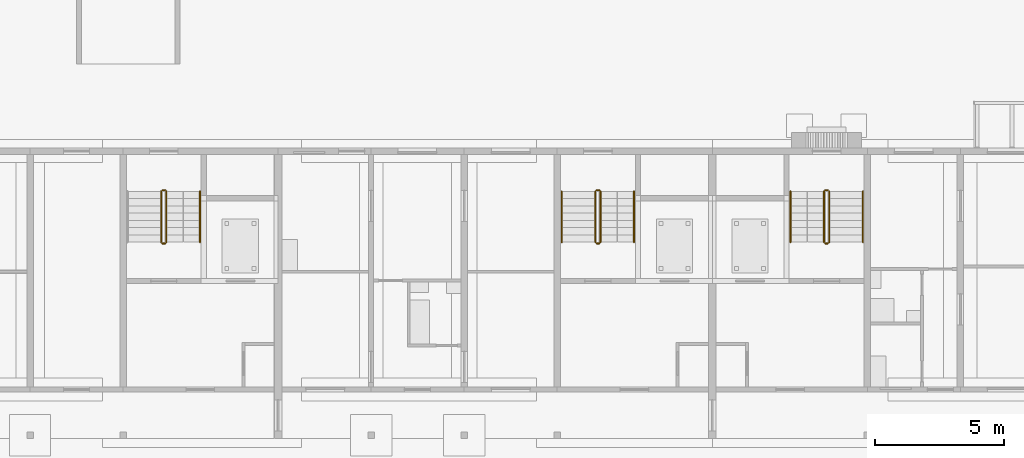
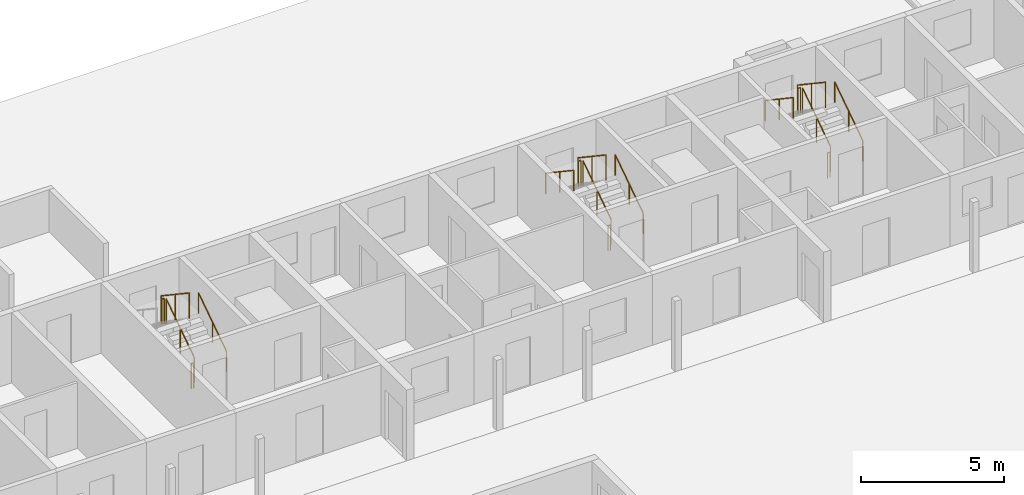
# One storey, part 105 of 112: 17 railings.
"""IFC4 building model written with IfcOpenShell, lengths in metres."""

from ifc_helpers import new_model, si_unit, direction, frame, origin, origin_2d, place, context, subcontext, project, spatial, circle, extrude, material, type_object, element, save


model = new_model("IFC4")

# Units and contexts
model_context = context("Model", 3, precision=1e-05, world=origin(), true_north=direction((0.0, 1.0)))
body_context = subcontext(model_context, "Body", "Model", "MODEL_VIEW")
ifc_project = project(units=[si_unit("LENGTHUNIT", "METRE"), si_unit("AREAUNIT", "SQUARE_METRE"), si_unit("VOLUMEUNIT", "CUBIC_METRE"), si_unit("PLANEANGLEUNIT", "RADIAN"), si_unit("MASSUNIT", "GRAM", prefix="KILO")], contexts=[model_context])

# Site, building, storey
site_placement = place(None, origin())
site = spatial("IfcSite", under=ifc_project, at=site_placement, CompositionType="ELEMENT")
building_placement = place(site_placement, origin())
building = spatial("IfcBuilding", under=site, at=building_placement, Name="Ridgestep Commons", CompositionType="ELEMENT")
storey_placement = place(building_placement, origin())
storey = spatial("IfcBuildingStorey", under=building, at=storey_placement, Name="L00", CompositionType="ELEMENT", Elevation=0.0)

# Railings
ifc_material_1 = material(Name="Structural steel S355JR", Category="steel")
railing_type_1 = type_object("IfcRailingType", Name="Stair guard 1100", PredefinedType="GUARDRAIL", material=ifc_material_1)
railing_1_placement = place(storey_placement, frame((159.27490234375, 73.60009765625, 0.1875)))
element("IfcRailing", 1, at=railing_1_placement, inside=storey, type_object=railing_type_1, Name="L00 C1C stair guard 1", PredefinedType="GUARDRAIL", context=body_context, shape_type="SweptSolid", body=[
    extrude(circle(Radius=0.02392578125, at=origin_2d()), frame((0.0, 0.0, 1.076171875), z_axis=(0.0, 0.830902050051, 0.556418712142), x_axis=(-1.0, 0.0, 0.0)), (0.0, 0.0, 1.0), 2.35888671875),
    extrude(circle(Radius=0.02099609375, at=origin_2d()), origin(), (0.0, 0.0, 1.0), 1.052001953125),
    extrude(circle(Radius=0.02099609375, at=origin_2d()), frame((0.0, 0.97998046875, 0.65625)), (0.0, 0.0, 1.0), 1.052001953125),
    extrude(circle(Radius=0.02099609375, at=origin_2d()), frame((0.0, 1.9599609375, 1.3125)), (0.0, 0.0, 1.0), 1.052001953125),
])
railing_2_placement = place(storey_placement, frame((159.22509765625, 75.610107421875, 1.5)))
element("IfcRailing", 2, at=railing_2_placement, inside=storey, type_object=railing_type_1, Name="L00 C1C stair guard 2", PredefinedType="GUARDRAIL", context=body_context, shape_type="SweptSolid", body=[
    extrude(circle(Radius=0.02392578125, at=origin_2d()), frame((0.0, 0.0, 1.076171875), z_axis=(-1.0, 0.0, 0.0), x_axis=(0.0, -1.0, 0.0)), (0.0, 0.0, 1.0), 0.10009765625),
    extrude(circle(Radius=0.02099609375, at=origin_2d()), origin(), (0.0, 0.0, 1.0), 1.052001953125),
    extrude(circle(Radius=0.02099609375, at=origin_2d()), frame((-0.10009765625, 0.0, 0.0)), (0.0, 0.0, 1.0), 1.052001953125),
])
railing_3_placement = place(storey_placement, frame((159.074951171875, 75.56005859375, 1.6875)))
element("IfcRailing", 3, at=railing_3_placement, inside=storey, type_object=railing_type_1, Name="L00 C1C stair guard 3", PredefinedType="GUARDRAIL", context=body_context, shape_type="SweptSolid", body=[
    extrude(circle(Radius=0.02392578125, at=origin_2d()), frame((0.0, 0.0, 1.076171875), z_axis=(0.0, -0.830902050051, 0.556418712142), x_axis=(1.0, 0.0, 0.0)), (0.0, 0.0, 1.0), 2.35888671875),
    extrude(circle(Radius=0.02099609375, at=origin_2d()), origin(), (0.0, 0.0, 1.0), 1.052001953125),
    extrude(circle(Radius=0.02099609375, at=origin_2d()), frame((0.0, -0.97998046875, 0.65625)), (0.0, 0.0, 1.0), 1.052001953125),
    extrude(circle(Radius=0.02099609375, at=origin_2d()), frame((0.0, -1.9599609375, 1.3125)), (0.0, 0.0, 1.0), 1.052001953125),
])
railing_4_placement = place(storey_placement, frame((159.22509765625, 73.550048828125, 0.0)))
element("IfcRailing", 4, at=railing_4_placement, inside=storey, type_object=railing_type_1, Name="L00 C1C stair guard 4", PredefinedType="GUARDRAIL", context=body_context, shape_type="SweptSolid", body=[
    extrude(circle(Radius=0.02392578125, at=origin_2d()), frame((0.0, 0.0, 1.076171875), z_axis=(-1.0, 0.0, 0.0), x_axis=(0.0, -1.0, 0.0)), (0.0, 0.0, 1.0), 0.10009765625),
    extrude(circle(Radius=0.02099609375, at=origin_2d()), origin(), (0.0, 0.0, 1.0), 1.052001953125),
    extrude(circle(Radius=0.02099609375, at=origin_2d()), frame((-0.10009765625, 0.0, 0.0)), (0.0, 0.0, 1.0), 1.052001953125),
])
railing_5_placement = place(storey_placement, frame((176.074951171875, 73.60009765625, 0.1875)))
element("IfcRailing", 5, at=railing_5_placement, inside=storey, type_object=railing_type_1, Name="L00 C2C stair guard 1", PredefinedType="GUARDRAIL", context=body_context, shape_type="SweptSolid", body=[
    extrude(circle(Radius=0.02392578125, at=origin_2d()), frame((0.0, 0.0, 1.076171875), z_axis=(0.0, 0.830902050051, 0.556418712142), x_axis=(-1.0, 0.0, 0.0)), (0.0, 0.0, 1.0), 2.35888671875),
    extrude(circle(Radius=0.02099609375, at=origin_2d()), origin(), (0.0, 0.0, 1.0), 1.052001953125),
    extrude(circle(Radius=0.02099609375, at=origin_2d()), frame((0.0, 0.97998046875, 0.65625)), (0.0, 0.0, 1.0), 1.052001953125),
    extrude(circle(Radius=0.02099609375, at=origin_2d()), frame((0.0, 1.9599609375, 1.3125)), (0.0, 0.0, 1.0), 1.052001953125),
])
railing_6_placement = place(storey_placement, frame((176.02490234375, 75.610107421875, 1.5)))
element("IfcRailing", 6, at=railing_6_placement, inside=storey, type_object=railing_type_1, Name="L00 C2C stair guard 2", PredefinedType="GUARDRAIL", context=body_context, shape_type="SweptSolid", body=[
    extrude(circle(Radius=0.02392578125, at=origin_2d()), frame((0.0, 0.0, 1.076171875), z_axis=(-1.0, 0.0, 0.0), x_axis=(0.0, -1.0, 0.0)), (0.0, 0.0, 1.0), 0.099853515625),
    extrude(circle(Radius=0.02099609375, at=origin_2d()), origin(), (0.0, 0.0, 1.0), 1.052001953125),
    extrude(circle(Radius=0.02099609375, at=origin_2d()), frame((-0.099853515625, 0.0, 0.0)), (0.0, 0.0, 1.0), 1.052001953125),
])
railing_7_placement = place(storey_placement, frame((175.875, 75.56005859375, 1.6875)))
element("IfcRailing", 7, at=railing_7_placement, inside=storey, type_object=railing_type_1, Name="L00 C2C stair guard 3", PredefinedType="GUARDRAIL", context=body_context, shape_type="SweptSolid", body=[
    extrude(circle(Radius=0.02392578125, at=origin_2d()), frame((0.0, 0.0, 1.076171875), z_axis=(0.0, -0.830902050051, 0.556418712142), x_axis=(1.0, 0.0, 0.0)), (0.0, 0.0, 1.0), 2.35888671875),
    extrude(circle(Radius=0.02099609375, at=origin_2d()), origin(), (0.0, 0.0, 1.0), 1.052001953125),
    extrude(circle(Radius=0.02099609375, at=origin_2d()), frame((0.0, -0.97998046875, 0.65625)), (0.0, 0.0, 1.0), 1.052001953125),
    extrude(circle(Radius=0.02099609375, at=origin_2d()), frame((0.0, -1.9599609375, 1.3125)), (0.0, 0.0, 1.0), 1.052001953125),
])
railing_8_placement = place(storey_placement, frame((176.02490234375, 73.550048828125, 0.0)))
element("IfcRailing", 8, at=railing_8_placement, inside=storey, type_object=railing_type_1, Name="L00 C2C stair guard 4", PredefinedType="GUARDRAIL", context=body_context, shape_type="SweptSolid", body=[
    extrude(circle(Radius=0.02392578125, at=origin_2d()), frame((0.0, 0.0, 1.076171875), z_axis=(-1.0, 0.0, 0.0), x_axis=(0.0, -1.0, 0.0)), (0.0, 0.0, 1.0), 0.099853515625),
    extrude(circle(Radius=0.02099609375, at=origin_2d()), origin(), (0.0, 0.0, 1.0), 1.052001953125),
    extrude(circle(Radius=0.02099609375, at=origin_2d()), frame((-0.099853515625, 0.0, 0.0)), (0.0, 0.0, 1.0), 1.052001953125),
])
railing_9_placement = place(storey_placement, frame((184.925048828125, 73.60009765625, 0.1875)))
element("IfcRailing", 9, at=railing_9_placement, inside=storey, type_object=railing_type_1, Name="L00 C3C stair guard 1", PredefinedType="GUARDRAIL", context=body_context, shape_type="SweptSolid", body=[
    extrude(circle(Radius=0.02392578125, at=origin_2d()), frame((0.0, 0.0, 1.076171875), z_axis=(0.0, 0.830902050051, 0.556418712142), x_axis=(-1.0, 0.0, 0.0)), (0.0, 0.0, 1.0), 2.35888671875),
    extrude(circle(Radius=0.02099609375, at=origin_2d()), origin(), (0.0, 0.0, 1.0), 1.052001953125),
    extrude(circle(Radius=0.02099609375, at=origin_2d()), frame((0.0, 0.97998046875, 0.65625)), (0.0, 0.0, 1.0), 1.052001953125),
    extrude(circle(Radius=0.02099609375, at=origin_2d()), frame((0.0, 1.9599609375, 1.3125)), (0.0, 0.0, 1.0), 1.052001953125),
])
railing_10_placement = place(storey_placement, frame((184.875, 75.610107421875, 1.5)))
element("IfcRailing", 10, at=railing_10_placement, inside=storey, type_object=railing_type_1, Name="L00 C3C stair guard 2", PredefinedType="GUARDRAIL", context=body_context, shape_type="SweptSolid", body=[
    extrude(circle(Radius=0.02392578125, at=origin_2d()), frame((0.0, 0.0, 1.076171875), z_axis=(-1.0, 0.0, 0.0), x_axis=(0.0, -1.0, 0.0)), (0.0, 0.0, 1.0), 0.10009765625),
    extrude(circle(Radius=0.02099609375, at=origin_2d()), origin(), (0.0, 0.0, 1.0), 1.052001953125),
    extrude(circle(Radius=0.02099609375, at=origin_2d()), frame((-0.10009765625, 0.0, 0.0)), (0.0, 0.0, 1.0), 1.052001953125),
])
railing_11_placement = place(storey_placement, frame((184.72509765625, 75.56005859375, 1.6875)))
element("IfcRailing", 11, at=railing_11_placement, inside=storey, type_object=railing_type_1, Name="L00 C3C stair guard 3", PredefinedType="GUARDRAIL", context=body_context, shape_type="SweptSolid", body=[
    extrude(circle(Radius=0.02392578125, at=origin_2d()), frame((0.0, 0.0, 1.076171875), z_axis=(0.0, -0.830902050051, 0.556418712142), x_axis=(1.0, 0.0, 0.0)), (0.0, 0.0, 1.0), 2.35888671875),
    extrude(circle(Radius=0.02099609375, at=origin_2d()), origin(), (0.0, 0.0, 1.0), 1.052001953125),
    extrude(circle(Radius=0.02099609375, at=origin_2d()), frame((0.0, -0.97998046875, 0.65625)), (0.0, 0.0, 1.0), 1.052001953125),
    extrude(circle(Radius=0.02099609375, at=origin_2d()), frame((0.0, -1.9599609375, 1.3125)), (0.0, 0.0, 1.0), 1.052001953125),
])
railing_12_placement = place(storey_placement, frame((184.875, 73.550048828125, 0.0)))
element("IfcRailing", 12, at=railing_12_placement, inside=storey, type_object=railing_type_1, Name="L00 C3C stair guard 4", PredefinedType="GUARDRAIL", context=body_context, shape_type="SweptSolid", body=[
    extrude(circle(Radius=0.02392578125, at=origin_2d()), frame((0.0, 0.0, 1.076171875), z_axis=(-1.0, 0.0, 0.0), x_axis=(0.0, -1.0, 0.0)), (0.0, 0.0, 1.0), 0.10009765625),
    extrude(circle(Radius=0.02099609375, at=origin_2d()), origin(), (0.0, 0.0, 1.0), 1.052001953125),
    extrude(circle(Radius=0.02099609375, at=origin_2d()), frame((-0.10009765625, 0.0, 0.0)), (0.0, 0.0, 1.0), 1.052001953125),
])
ifc_material_2 = material(Name="Structural steel S355JR", Category="steel")
railing_type_2 = type_object("IfcRailingType", Name="Stair handrail 900", PredefinedType="HANDRAIL", material=ifc_material_2)
for number, where, name in (
    (13, (160.574951171875, 73.60009765625, 0.1875), "L00 C1C stair handrail 1"),
    (14, (177.375, 73.60009765625, 0.1875), "L00 C2C stair handrail 1"),
):
    element("IfcRailing", number, at=place(storey_placement, frame(where)), inside=storey, type_object=railing_type_2, Name=name, PredefinedType="HANDRAIL", context=body_context, shape_type="SweptSolid", body=[
        extrude(circle(Radius=0.02392578125, at=origin_2d()), frame((0.0, 0.0, 0.8759765625), z_axis=(0.0, 0.830902050051, 0.556418712142), x_axis=(-1.0, 0.0, 0.0)), (0.0, 0.0, 1.0), 2.35888671875),
        extrude(circle(Radius=0.02099609375, at=origin_2d()), origin(), (0.0, 0.0, 1.0), 0.851806640625),
        extrude(circle(Radius=0.02099609375, at=origin_2d()), frame((0.0, 0.97998046875, 0.65625)), (0.0, 0.0, 1.0), 0.851806640625),
        extrude(circle(Radius=0.02099609375, at=origin_2d()), frame((0.0, 1.9599609375, 1.3125)), (0.0, 0.0, 1.0), 0.851806640625),
    ])
railing_13_placement = place(storey_placement, frame((174.574951171875, 75.56005859375, 1.6875)))
element("IfcRailing", 15, at=railing_13_placement, inside=storey, type_object=railing_type_2, Name="L00 C2C stair handrail 2", PredefinedType="HANDRAIL", context=body_context, shape_type="SweptSolid", body=[
    extrude(circle(Radius=0.02392578125, at=origin_2d()), frame((0.0, 0.0, 0.8759765625), z_axis=(0.0, -0.830902050051, 0.556418712142), x_axis=(1.0, 0.0, 0.0)), (0.0, 0.0, 1.0), 2.35888671875),
    extrude(circle(Radius=0.02099609375, at=origin_2d()), origin(), (0.0, 0.0, 1.0), 0.851806640625),
    extrude(circle(Radius=0.02099609375, at=origin_2d()), frame((0.0, -0.97998046875, 0.65625)), (0.0, 0.0, 1.0), 0.851806640625),
    extrude(circle(Radius=0.02099609375, at=origin_2d()), frame((0.0, -1.9599609375, 1.3125)), (0.0, 0.0, 1.0), 0.851806640625),
])
railing_14_placement = place(storey_placement, frame((186.22509765625, 73.60009765625, 0.1875)))
element("IfcRailing", 16, at=railing_14_placement, inside=storey, type_object=railing_type_2, Name="L00 C3C stair handrail 1", PredefinedType="HANDRAIL", context=body_context, shape_type="SweptSolid", body=[
    extrude(circle(Radius=0.02392578125, at=origin_2d()), frame((0.0, 0.0, 0.8759765625), z_axis=(0.0, 0.830902050051, 0.556418712142), x_axis=(-1.0, 0.0, 0.0)), (0.0, 0.0, 1.0), 2.35888671875),
    extrude(circle(Radius=0.02099609375, at=origin_2d()), origin(), (0.0, 0.0, 1.0), 0.851806640625),
    extrude(circle(Radius=0.02099609375, at=origin_2d()), frame((0.0, 0.97998046875, 0.65625)), (0.0, 0.0, 1.0), 0.851806640625),
    extrude(circle(Radius=0.02099609375, at=origin_2d()), frame((0.0, 1.9599609375, 1.3125)), (0.0, 0.0, 1.0), 0.851806640625),
])
railing_15_placement = place(storey_placement, frame((183.425048828125, 75.56005859375, 1.6875)))
element("IfcRailing", 17, at=railing_15_placement, inside=storey, type_object=railing_type_2, Name="L00 C3C stair handrail 2", PredefinedType="HANDRAIL", context=body_context, shape_type="SweptSolid", body=[
    extrude(circle(Radius=0.02392578125, at=origin_2d()), frame((0.0, 0.0, 0.8759765625), z_axis=(0.0, -0.830902050051, 0.556418712142), x_axis=(1.0, 0.0, 0.0)), (0.0, 0.0, 1.0), 2.35888671875),
    extrude(circle(Radius=0.02099609375, at=origin_2d()), origin(), (0.0, 0.0, 1.0), 0.851806640625),
    extrude(circle(Radius=0.02099609375, at=origin_2d()), frame((0.0, -0.97998046875, 0.65625)), (0.0, 0.0, 1.0), 0.851806640625),
    extrude(circle(Radius=0.02099609375, at=origin_2d()), frame((0.0, -1.9599609375, 1.3125)), (0.0, 0.0, 1.0), 0.851806640625),
])

save(model, "model.ifc")
